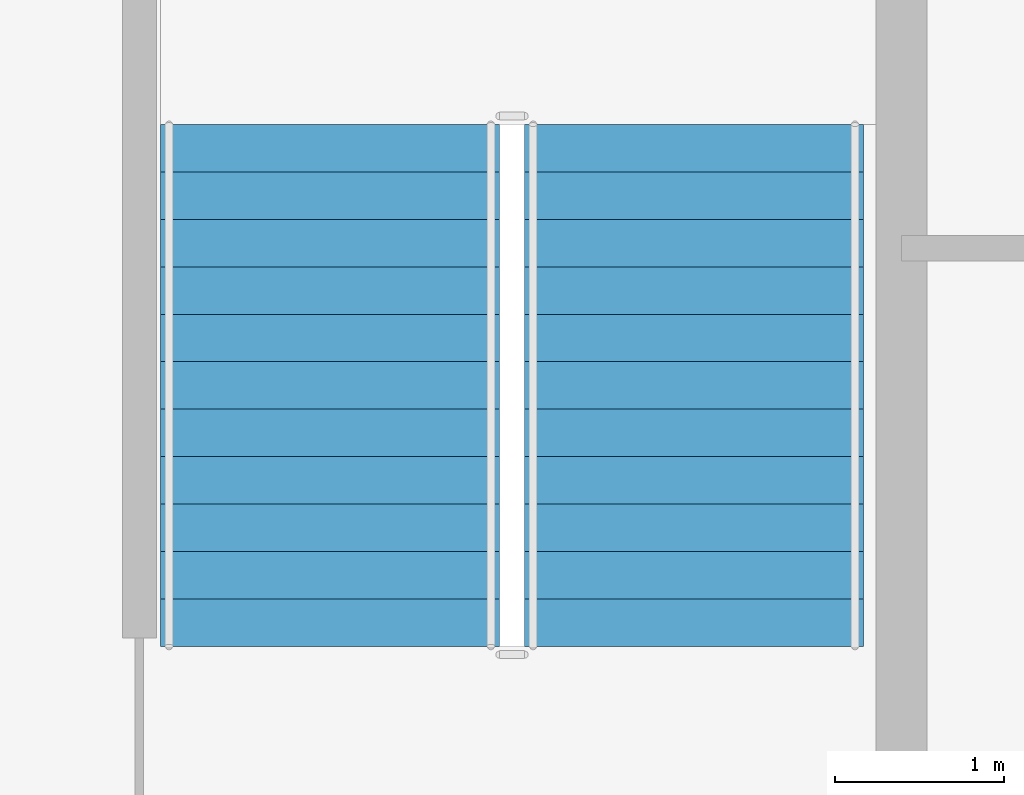
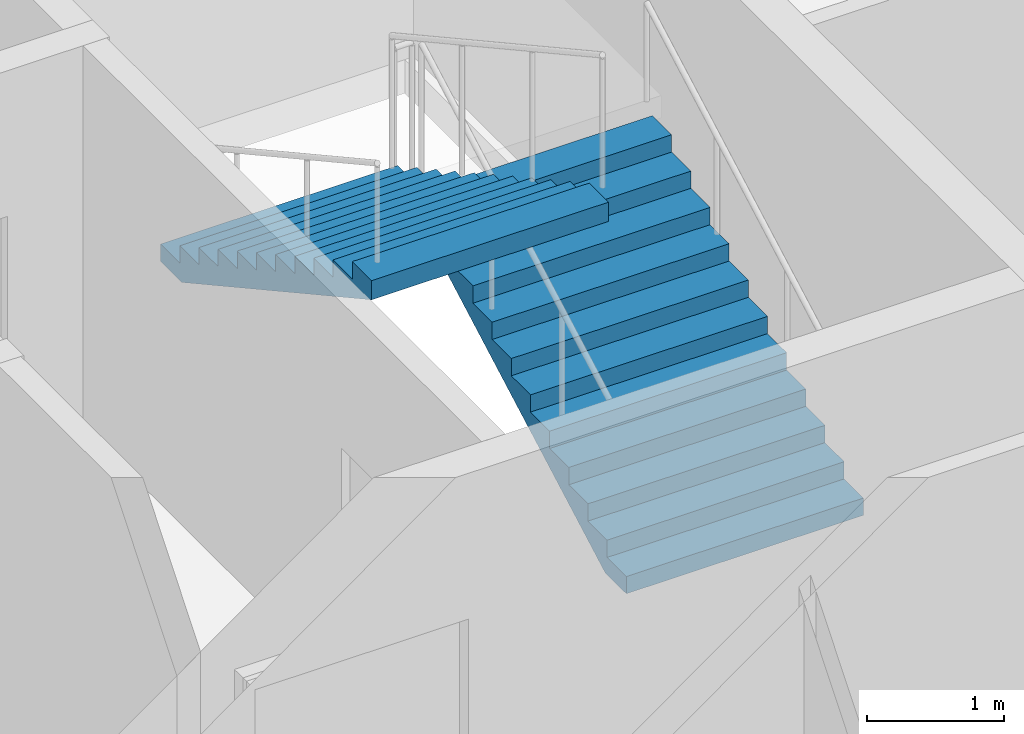
# One storey, part 12 of 15: 2 stair flights, 1 element without a shape of its own.
"""IFC4 building model written with IfcOpenShell, lengths in metres."""

from ifc_helpers import new_model, si_unit, direction, frame, origin, place, context, subcontext, project, spatial, polygons, material, type_object, element, aggregate, save


model = new_model("IFC4")

# Units and contexts
model_context = context("Model", 3, precision=1e-05, world=origin(), true_north=direction((0.0, 1.0)))
body_context = subcontext(model_context, "Body", "Model", "MODEL_VIEW")
ifc_project = project(units=[si_unit("LENGTHUNIT", "METRE"), si_unit("AREAUNIT", "SQUARE_METRE"), si_unit("VOLUMEUNIT", "CUBIC_METRE"), si_unit("PLANEANGLEUNIT", "RADIAN"), si_unit("MASSUNIT", "GRAM", prefix="KILO")], contexts=[model_context])

# Site, building, storey
site_placement = place(None, origin())
site = spatial("IfcSite", under=ifc_project, at=site_placement, CompositionType="ELEMENT")
building_placement = place(site_placement, origin())
building = spatial("IfcBuilding", under=site, at=building_placement, Name="Caravel Reach Hotel and Residences", CompositionType="ELEMENT")
storey_placement = place(building_placement, frame((0.0, 0.0, 172.800048828125)))
storey = spatial("IfcBuildingStorey", under=building, at=storey_placement, Name="L43", CompositionType="ELEMENT", Elevation=172.800048828125)

# Stair, stair flights
ifc_material_1 = material(Name="Concrete C40", Category="concrete")
stair_type = type_object("IfcStairType", Name="Core stair", PredefinedType="HALF_TURN_STAIR", material=ifc_material_1)
stair_placement = place(storey_placement, origin())
stair = element("IfcStair", 1, at=stair_placement, inside=storey, type_object=stair_type, Name="L43 Exit stair B", PredefinedType="HALF_TURN_STAIR")
ifc_material_2 = material(Name="Concrete C40", Category="concrete")
stair_flight_type = type_object("IfcStairFlightType", Name="Core stair flight", PredefinedType="STRAIGHT", material=ifc_material_2)
stair_flight_1_placement = place(storey_placement, frame((43.77490234375, 24.64990234375, 0.0), z_axis=(0.0, 0.0, 1.0), x_axis=(0.0, 1.0, 0.0)))
stair_flight_1 = element("IfcStairFlight", 2, at=stair_flight_1_placement, type_object=stair_flight_type, Name="ST-B flight 1", NumberOfRisers=12, NumberOfTreads=11, PredefinedType="STRAIGHT", RiserHeight=0.154166667, TreadLength=0.28, context=body_context, shape_type="Tessellation", body=[
    polygons([(0.3107950034306102, 1.0, 0.0), (0.3107950034306102, 0.6666666666666667, 0.0), (0.3107950034306102, 0.33333333333333337, 0.0), (0.3107950034306102, 0.0, 0.0), (0.3107950034306102, -0.33333333333333326, 0.0), (0.3107950034306102, -0.6666666666666667, 0.0), (0.3107950034306102, -1.0, 0.0), (3.081, 1.0, 1.524711087717319), (3.081, 0.6666666666666667, 1.524711087717319), (3.081, 0.33333333333333337, 1.524711087717319), (3.081, 0.0, 1.524711087717319), (3.081, -0.33333333333333326, 1.524711087717319), (3.081, -0.6666666666666667, 1.524711087717319), (3.081, -1.0, 1.524711087717319), (3.081, 1.0, 1.695833337), (3.081, 0.6666666666666667, 1.695833337), (3.081, 0.33333333333333337, 1.695833337), (3.081, 0.0, 1.695833337), (3.081, -0.33333333333333326, 1.695833337), (3.081, -0.6666666666666667, 1.695833337), (3.081, -1.0, 1.695833337), (2.8000000000000003, 1.0, 1.695833337), (2.8000000000000003, 0.6666666666666667, 1.695833337), (2.8000000000000003, 0.33333333333333337, 1.695833337), (2.8000000000000003, 0.0, 1.695833337), (2.8000000000000003, -0.33333333333333326, 1.695833337), (2.8000000000000003, -0.6666666666666667, 1.695833337), (2.8000000000000003, -1.0, 1.695833337), (2.8000000000000003, 1.0, 1.5416666700000001), (2.8000000000000003, 0.6666666666666667, 1.5416666700000001), (2.8000000000000003, 0.33333333333333337, 1.5416666700000001), (2.8000000000000003, 0.0, 1.5416666700000001), (2.8000000000000003, -0.33333333333333326, 1.5416666700000001), (2.8000000000000003, -0.6666666666666667, 1.5416666700000001), (2.8000000000000003, -1.0, 1.5416666700000001), (2.5200000000000005, 1.0, 1.5416666700000001), (2.5200000000000005, 0.6666666666666667, 1.5416666700000001), (2.5200000000000005, 0.33333333333333337, 1.5416666700000001), (2.5200000000000005, 0.0, 1.5416666700000001), (2.5200000000000005, -0.33333333333333326, 1.5416666700000001), (2.5200000000000005, -0.6666666666666667, 1.5416666700000001), (2.5200000000000005, -1.0, 1.5416666700000001), (2.5200000000000005, 1.0, 1.387500003), (2.5200000000000005, 0.6666666666666667, 1.387500003), (2.5200000000000005, 0.33333333333333337, 1.387500003), (2.5200000000000005, 0.0, 1.387500003), (2.5200000000000005, -0.33333333333333326, 1.387500003), (2.5200000000000005, -0.6666666666666667, 1.387500003), (2.5200000000000005, -1.0, 1.387500003), (2.24, 1.0, 1.387500003), (2.24, 0.6666666666666667, 1.387500003), (2.24, 0.33333333333333337, 1.387500003), (2.24, 0.0, 1.387500003), (2.24, -0.33333333333333326, 1.387500003), (2.24, -0.6666666666666667, 1.387500003), (2.24, -1.0, 1.387500003), (2.24, 1.0, 1.233333336), (2.24, 0.6666666666666667, 1.233333336), (2.24, 0.33333333333333337, 1.233333336), (2.24, 0.0, 1.233333336), (2.24, -0.33333333333333326, 1.233333336), (2.24, -0.6666666666666667, 1.233333336), (2.24, -1.0, 1.233333336), (1.9600000000000002, 1.0, 1.233333336), (1.9600000000000002, 0.6666666666666667, 1.233333336), (1.9600000000000002, 0.33333333333333337, 1.233333336), (1.9600000000000002, 0.0, 1.233333336), (1.9600000000000002, -0.33333333333333326, 1.233333336), (1.9600000000000002, -0.6666666666666667, 1.233333336), (1.9600000000000002, -1.0, 1.233333336), (1.9600000000000002, 1.0, 1.0791666690000001), (1.9600000000000002, 0.6666666666666667, 1.0791666690000001), (1.9600000000000002, 0.33333333333333337, 1.0791666690000001), (1.9600000000000002, 0.0, 1.0791666690000001), (1.9600000000000002, -0.33333333333333326, 1.0791666690000001), (1.9600000000000002, -0.6666666666666667, 1.0791666690000001), (1.9600000000000002, -1.0, 1.0791666690000001), (1.6800000000000002, 1.0, 1.0791666690000001), (1.6800000000000002, 0.6666666666666667, 1.0791666690000001), (1.6800000000000002, 0.33333333333333337, 1.0791666690000001), (1.6800000000000002, 0.0, 1.0791666690000001), (1.6800000000000002, -0.33333333333333326, 1.0791666690000001), (1.6800000000000002, -0.6666666666666667, 1.0791666690000001), (1.6800000000000002, -1.0, 1.0791666690000001), (1.6800000000000002, 1.0, 0.925000002), (1.6800000000000002, 0.6666666666666667, 0.925000002), (1.6800000000000002, 0.33333333333333337, 0.925000002), (1.6800000000000002, 0.0, 0.925000002), (1.6800000000000002, -0.33333333333333326, 0.925000002), (1.6800000000000002, -0.6666666666666667, 0.925000002), (1.6800000000000002, -1.0, 0.925000002), (1.4000000000000001, 1.0, 0.925000002), (1.4000000000000001, 0.6666666666666667, 0.925000002), (1.4000000000000001, 0.33333333333333337, 0.925000002), (1.4000000000000001, 0.0, 0.925000002), (1.4000000000000001, -0.33333333333333326, 0.925000002), (1.4000000000000001, -0.6666666666666667, 0.925000002), (1.4000000000000001, -1.0, 0.925000002), (1.4000000000000001, 1.0, 0.7708333350000001), (1.4000000000000001, 0.6666666666666667, 0.7708333350000001), (1.4000000000000001, 0.33333333333333337, 0.7708333350000001), (1.4000000000000001, 0.0, 0.7708333350000001), (1.4000000000000001, -0.33333333333333326, 0.7708333350000001), (1.4000000000000001, -0.6666666666666667, 0.7708333350000001), (1.4000000000000001, -1.0, 0.7708333350000001), (1.12, 1.0, 0.7708333350000001), (1.12, 0.6666666666666667, 0.7708333350000001), (1.12, 0.33333333333333337, 0.7708333350000001), (1.12, 0.0, 0.7708333350000001), (1.12, -0.33333333333333326, 0.7708333350000001), (1.12, -0.6666666666666667, 0.7708333350000001), (1.12, -1.0, 0.7708333350000001), (1.12, 1.0, 0.616666668), (1.12, 0.6666666666666667, 0.616666668), (1.12, 0.33333333333333337, 0.616666668), (1.12, 0.0, 0.616666668), (1.12, -0.33333333333333326, 0.616666668), (1.12, -0.6666666666666667, 0.616666668), (1.12, -1.0, 0.616666668), (0.8400000000000001, 1.0, 0.616666668), (0.8400000000000001, 0.6666666666666667, 0.616666668), (0.8400000000000001, 0.33333333333333337, 0.616666668), (0.8400000000000001, 0.0, 0.616666668), (0.8400000000000001, -0.33333333333333326, 0.616666668), (0.8400000000000001, -0.6666666666666667, 0.616666668), (0.8400000000000001, -1.0, 0.616666668), (0.8400000000000001, 1.0, 0.462500001), (0.8400000000000001, 0.6666666666666667, 0.462500001), (0.8400000000000001, 0.33333333333333337, 0.462500001), (0.8400000000000001, 0.0, 0.462500001), (0.8400000000000001, -0.33333333333333326, 0.462500001), (0.8400000000000001, -0.6666666666666667, 0.462500001), (0.8400000000000001, -1.0, 0.462500001), (0.56, 1.0, 0.462500001), (0.56, 0.6666666666666667, 0.462500001), (0.56, 0.33333333333333337, 0.462500001), (0.56, 0.0, 0.462500001), (0.56, -0.33333333333333326, 0.462500001), (0.56, -0.6666666666666667, 0.462500001), (0.56, -1.0, 0.462500001), (0.56, 1.0, 0.308333334), (0.56, 0.6666666666666667, 0.308333334), (0.56, 0.33333333333333337, 0.308333334), (0.56, 0.0, 0.308333334), (0.56, -0.33333333333333326, 0.308333334), (0.56, -0.6666666666666667, 0.308333334), (0.56, -1.0, 0.308333334), (0.28, 1.0, 0.308333334), (0.28, 0.6666666666666667, 0.308333334), (0.28, 0.33333333333333337, 0.308333334), (0.28, 0.0, 0.308333334), (0.28, -0.33333333333333326, 0.308333334), (0.28, -0.6666666666666667, 0.308333334), (0.28, -1.0, 0.308333334), (0.28, 1.0, 0.154166667), (0.28, 0.6666666666666667, 0.154166667), (0.28, 0.33333333333333337, 0.154166667), (0.28, 0.0, 0.154166667), (0.28, -0.33333333333333326, 0.154166667), (0.28, -0.6666666666666667, 0.154166667), (0.28, -1.0, 0.154166667), (-0.001, 1.0, 0.154166667), (-0.001, 0.6666666666666667, 0.154166667), (-0.001, 0.33333333333333337, 0.154166667), (-0.001, 0.0, 0.154166667), (-0.001, -0.33333333333333326, 0.154166667), (-0.001, -0.6666666666666667, 0.154166667), (-0.001, -1.0, 0.154166667), (-0.001, 1.0, 0.0), (-0.001, 0.6666666666666667, 0.0), (-0.001, 0.33333333333333337, 0.0), (-0.001, 0.0, 0.0), (-0.001, -0.33333333333333326, 0.0), (-0.001, -0.6666666666666667, 0.0), (-0.001, -1.0, 0.0)], [[[169, 162, 155, 148, 141, 134, 127, 120, 113, 106, 99, 92, 85, 78, 71, 64, 57, 50, 43, 36, 29, 22, 15, 8, 1]], [[7, 14, 21, 28, 35, 42, 49, 56, 63, 70, 77, 84, 91, 98, 105, 112, 119, 126, 133, 140, 147, 154, 161, 168, 175]], [[1, 8, 9, 2]], [[2, 9, 10, 3]], [[3, 10, 11, 4]], [[4, 11, 12, 5]], [[5, 12, 13, 6]], [[6, 13, 14, 7]], [[8, 15, 16, 9]], [[9, 16, 17, 10]], [[10, 17, 18, 11]], [[11, 18, 19, 12]], [[12, 19, 20, 13]], [[13, 20, 21, 14]], [[15, 22, 23, 16]], [[16, 23, 24, 17]], [[17, 24, 25, 18]], [[18, 25, 26, 19]], [[19, 26, 27, 20]], [[20, 27, 28, 21]], [[22, 29, 30, 23]], [[23, 30, 31, 24]], [[24, 31, 32, 25]], [[25, 32, 33, 26]], [[26, 33, 34, 27]], [[27, 34, 35, 28]], [[29, 36, 37, 30]], [[30, 37, 38, 31]], [[31, 38, 39, 32]], [[32, 39, 40, 33]], [[33, 40, 41, 34]], [[34, 41, 42, 35]], [[36, 43, 44, 37]], [[37, 44, 45, 38]], [[38, 45, 46, 39]], [[39, 46, 47, 40]], [[40, 47, 48, 41]], [[41, 48, 49, 42]], [[43, 50, 51, 44]], [[44, 51, 52, 45]], [[45, 52, 53, 46]], [[46, 53, 54, 47]], [[47, 54, 55, 48]], [[48, 55, 56, 49]], [[50, 57, 58, 51]], [[51, 58, 59, 52]], [[52, 59, 60, 53]], [[53, 60, 61, 54]], [[54, 61, 62, 55]], [[55, 62, 63, 56]], [[57, 64, 65, 58]], [[58, 65, 66, 59]], [[59, 66, 67, 60]], [[60, 67, 68, 61]], [[61, 68, 69, 62]], [[62, 69, 70, 63]], [[64, 71, 72, 65]], [[65, 72, 73, 66]], [[66, 73, 74, 67]], [[67, 74, 75, 68]], [[68, 75, 76, 69]], [[69, 76, 77, 70]], [[71, 78, 79, 72]], [[72, 79, 80, 73]], [[73, 80, 81, 74]], [[74, 81, 82, 75]], [[75, 82, 83, 76]], [[76, 83, 84, 77]], [[78, 85, 86, 79]], [[79, 86, 87, 80]], [[80, 87, 88, 81]], [[81, 88, 89, 82]], [[82, 89, 90, 83]], [[83, 90, 91, 84]], [[85, 92, 93, 86]], [[86, 93, 94, 87]], [[87, 94, 95, 88]], [[88, 95, 96, 89]], [[89, 96, 97, 90]], [[90, 97, 98, 91]], [[92, 99, 100, 93]], [[93, 100, 101, 94]], [[94, 101, 102, 95]], [[95, 102, 103, 96]], [[96, 103, 104, 97]], [[97, 104, 105, 98]], [[99, 106, 107, 100]], [[100, 107, 108, 101]], [[101, 108, 109, 102]], [[102, 109, 110, 103]], [[103, 110, 111, 104]], [[104, 111, 112, 105]], [[106, 113, 114, 107]], [[107, 114, 115, 108]], [[108, 115, 116, 109]], [[109, 116, 117, 110]], [[110, 117, 118, 111]], [[111, 118, 119, 112]], [[113, 120, 121, 114]], [[114, 121, 122, 115]], [[115, 122, 123, 116]], [[116, 123, 124, 117]], [[117, 124, 125, 118]], [[118, 125, 126, 119]], [[120, 127, 128, 121]], [[121, 128, 129, 122]], [[122, 129, 130, 123]], [[123, 130, 131, 124]], [[124, 131, 132, 125]], [[125, 132, 133, 126]], [[127, 134, 135, 128]], [[128, 135, 136, 129]], [[129, 136, 137, 130]], [[130, 137, 138, 131]], [[131, 138, 139, 132]], [[132, 139, 140, 133]], [[134, 141, 142, 135]], [[135, 142, 143, 136]], [[136, 143, 144, 137]], [[137, 144, 145, 138]], [[138, 145, 146, 139]], [[139, 146, 147, 140]], [[141, 148, 149, 142]], [[142, 149, 150, 143]], [[143, 150, 151, 144]], [[144, 151, 152, 145]], [[145, 152, 153, 146]], [[146, 153, 154, 147]], [[148, 155, 156, 149]], [[149, 156, 157, 150]], [[150, 157, 158, 151]], [[151, 158, 159, 152]], [[152, 159, 160, 153]], [[153, 160, 161, 154]], [[155, 162, 163, 156]], [[156, 163, 164, 157]], [[157, 164, 165, 158]], [[158, 165, 166, 159]], [[159, 166, 167, 160]], [[160, 167, 168, 161]], [[162, 169, 170, 163]], [[163, 170, 171, 164]], [[164, 171, 172, 165]], [[165, 172, 173, 166]], [[166, 173, 174, 167]], [[167, 174, 175, 168]], [[169, 1, 2, 170]], [[170, 2, 3, 171]], [[171, 3, 4, 172]], [[172, 4, 5, 173]], [[173, 5, 6, 174]], [[174, 6, 7, 175]]], closed=True),
])
stair_flight_2_placement = place(storey_placement, frame((41.625, 27.72998046875, 1.849853515625), z_axis=(0.0, 0.0, 1.0), x_axis=(0.0, -1.0, 0.0)))
stair_flight_2 = element("IfcStairFlight", 3, at=stair_flight_2_placement, type_object=stair_flight_type, Name="ST-B flight 2", NumberOfRisers=12, NumberOfTreads=11, PredefinedType="STRAIGHT", RiserHeight=0.154166667, TreadLength=0.28, context=body_context, shape_type="Tessellation", body=[
    polygons([(0.3107950034306102, 1.0, 0.0), (0.3107950034306102, 0.6666666666666667, 0.0), (0.3107950034306102, 0.33333333333333337, 0.0), (0.3107950034306102, 0.0, 0.0), (0.3107950034306102, -0.33333333333333326, 0.0), (0.3107950034306102, -0.6666666666666667, 0.0), (0.3107950034306102, -1.0, 0.0), (3.081, 1.0, 1.524711087717319), (3.081, 0.6666666666666667, 1.524711087717319), (3.081, 0.33333333333333337, 1.524711087717319), (3.081, 0.0, 1.524711087717319), (3.081, -0.33333333333333326, 1.524711087717319), (3.081, -0.6666666666666667, 1.524711087717319), (3.081, -1.0, 1.524711087717319), (3.081, 1.0, 1.695833337), (3.081, 0.6666666666666667, 1.695833337), (3.081, 0.33333333333333337, 1.695833337), (3.081, 0.0, 1.695833337), (3.081, -0.33333333333333326, 1.695833337), (3.081, -0.6666666666666667, 1.695833337), (3.081, -1.0, 1.695833337), (2.8000000000000003, 1.0, 1.695833337), (2.8000000000000003, 0.6666666666666667, 1.695833337), (2.8000000000000003, 0.33333333333333337, 1.695833337), (2.8000000000000003, 0.0, 1.695833337), (2.8000000000000003, -0.33333333333333326, 1.695833337), (2.8000000000000003, -0.6666666666666667, 1.695833337), (2.8000000000000003, -1.0, 1.695833337), (2.8000000000000003, 1.0, 1.5416666700000001), (2.8000000000000003, 0.6666666666666667, 1.5416666700000001), (2.8000000000000003, 0.33333333333333337, 1.5416666700000001), (2.8000000000000003, 0.0, 1.5416666700000001), (2.8000000000000003, -0.33333333333333326, 1.5416666700000001), (2.8000000000000003, -0.6666666666666667, 1.5416666700000001), (2.8000000000000003, -1.0, 1.5416666700000001), (2.5200000000000005, 1.0, 1.5416666700000001), (2.5200000000000005, 0.6666666666666667, 1.5416666700000001), (2.5200000000000005, 0.33333333333333337, 1.5416666700000001), (2.5200000000000005, 0.0, 1.5416666700000001), (2.5200000000000005, -0.33333333333333326, 1.5416666700000001), (2.5200000000000005, -0.6666666666666667, 1.5416666700000001), (2.5200000000000005, -1.0, 1.5416666700000001), (2.5200000000000005, 1.0, 1.387500003), (2.5200000000000005, 0.6666666666666667, 1.387500003), (2.5200000000000005, 0.33333333333333337, 1.387500003), (2.5200000000000005, 0.0, 1.387500003), (2.5200000000000005, -0.33333333333333326, 1.387500003), (2.5200000000000005, -0.6666666666666667, 1.387500003), (2.5200000000000005, -1.0, 1.387500003), (2.24, 1.0, 1.387500003), (2.24, 0.6666666666666667, 1.387500003), (2.24, 0.33333333333333337, 1.387500003), (2.24, 0.0, 1.387500003), (2.24, -0.33333333333333326, 1.387500003), (2.24, -0.6666666666666667, 1.387500003), (2.24, -1.0, 1.387500003), (2.24, 1.0, 1.233333336), (2.24, 0.6666666666666667, 1.233333336), (2.24, 0.33333333333333337, 1.233333336), (2.24, 0.0, 1.233333336), (2.24, -0.33333333333333326, 1.233333336), (2.24, -0.6666666666666667, 1.233333336), (2.24, -1.0, 1.233333336), (1.9600000000000002, 1.0, 1.233333336), (1.9600000000000002, 0.6666666666666667, 1.233333336), (1.9600000000000002, 0.33333333333333337, 1.233333336), (1.9600000000000002, 0.0, 1.233333336), (1.9600000000000002, -0.33333333333333326, 1.233333336), (1.9600000000000002, -0.6666666666666667, 1.233333336), (1.9600000000000002, -1.0, 1.233333336), (1.9600000000000002, 1.0, 1.0791666690000001), (1.9600000000000002, 0.6666666666666667, 1.0791666690000001), (1.9600000000000002, 0.33333333333333337, 1.0791666690000001), (1.9600000000000002, 0.0, 1.0791666690000001), (1.9600000000000002, -0.33333333333333326, 1.0791666690000001), (1.9600000000000002, -0.6666666666666667, 1.0791666690000001), (1.9600000000000002, -1.0, 1.0791666690000001), (1.6800000000000002, 1.0, 1.0791666690000001), (1.6800000000000002, 0.6666666666666667, 1.0791666690000001), (1.6800000000000002, 0.33333333333333337, 1.0791666690000001), (1.6800000000000002, 0.0, 1.0791666690000001), (1.6800000000000002, -0.33333333333333326, 1.0791666690000001), (1.6800000000000002, -0.6666666666666667, 1.0791666690000001), (1.6800000000000002, -1.0, 1.0791666690000001), (1.6800000000000002, 1.0, 0.925000002), (1.6800000000000002, 0.6666666666666667, 0.925000002), (1.6800000000000002, 0.33333333333333337, 0.925000002), (1.6800000000000002, 0.0, 0.925000002), (1.6800000000000002, -0.33333333333333326, 0.925000002), (1.6800000000000002, -0.6666666666666667, 0.925000002), (1.6800000000000002, -1.0, 0.925000002), (1.4000000000000001, 1.0, 0.925000002), (1.4000000000000001, 0.6666666666666667, 0.925000002), (1.4000000000000001, 0.33333333333333337, 0.925000002), (1.4000000000000001, 0.0, 0.925000002), (1.4000000000000001, -0.33333333333333326, 0.925000002), (1.4000000000000001, -0.6666666666666667, 0.925000002), (1.4000000000000001, -1.0, 0.925000002), (1.4000000000000001, 1.0, 0.7708333350000001), (1.4000000000000001, 0.6666666666666667, 0.7708333350000001), (1.4000000000000001, 0.33333333333333337, 0.7708333350000001), (1.4000000000000001, 0.0, 0.7708333350000001), (1.4000000000000001, -0.33333333333333326, 0.7708333350000001), (1.4000000000000001, -0.6666666666666667, 0.7708333350000001), (1.4000000000000001, -1.0, 0.7708333350000001), (1.12, 1.0, 0.7708333350000001), (1.12, 0.6666666666666667, 0.7708333350000001), (1.12, 0.33333333333333337, 0.7708333350000001), (1.12, 0.0, 0.7708333350000001), (1.12, -0.33333333333333326, 0.7708333350000001), (1.12, -0.6666666666666667, 0.7708333350000001), (1.12, -1.0, 0.7708333350000001), (1.12, 1.0, 0.616666668), (1.12, 0.6666666666666667, 0.616666668), (1.12, 0.33333333333333337, 0.616666668), (1.12, 0.0, 0.616666668), (1.12, -0.33333333333333326, 0.616666668), (1.12, -0.6666666666666667, 0.616666668), (1.12, -1.0, 0.616666668), (0.8400000000000001, 1.0, 0.616666668), (0.8400000000000001, 0.6666666666666667, 0.616666668), (0.8400000000000001, 0.33333333333333337, 0.616666668), (0.8400000000000001, 0.0, 0.616666668), (0.8400000000000001, -0.33333333333333326, 0.616666668), (0.8400000000000001, -0.6666666666666667, 0.616666668), (0.8400000000000001, -1.0, 0.616666668), (0.8400000000000001, 1.0, 0.462500001), (0.8400000000000001, 0.6666666666666667, 0.462500001), (0.8400000000000001, 0.33333333333333337, 0.462500001), (0.8400000000000001, 0.0, 0.462500001), (0.8400000000000001, -0.33333333333333326, 0.462500001), (0.8400000000000001, -0.6666666666666667, 0.462500001), (0.8400000000000001, -1.0, 0.462500001), (0.56, 1.0, 0.462500001), (0.56, 0.6666666666666667, 0.462500001), (0.56, 0.33333333333333337, 0.462500001), (0.56, 0.0, 0.462500001), (0.56, -0.33333333333333326, 0.462500001), (0.56, -0.6666666666666667, 0.462500001), (0.56, -1.0, 0.462500001), (0.56, 1.0, 0.308333334), (0.56, 0.6666666666666667, 0.308333334), (0.56, 0.33333333333333337, 0.308333334), (0.56, 0.0, 0.308333334), (0.56, -0.33333333333333326, 0.308333334), (0.56, -0.6666666666666667, 0.308333334), (0.56, -1.0, 0.308333334), (0.28, 1.0, 0.308333334), (0.28, 0.6666666666666667, 0.308333334), (0.28, 0.33333333333333337, 0.308333334), (0.28, 0.0, 0.308333334), (0.28, -0.33333333333333326, 0.308333334), (0.28, -0.6666666666666667, 0.308333334), (0.28, -1.0, 0.308333334), (0.28, 1.0, 0.154166667), (0.28, 0.6666666666666667, 0.154166667), (0.28, 0.33333333333333337, 0.154166667), (0.28, 0.0, 0.154166667), (0.28, -0.33333333333333326, 0.154166667), (0.28, -0.6666666666666667, 0.154166667), (0.28, -1.0, 0.154166667), (-0.001, 1.0, 0.154166667), (-0.001, 0.6666666666666667, 0.154166667), (-0.001, 0.33333333333333337, 0.154166667), (-0.001, 0.0, 0.154166667), (-0.001, -0.33333333333333326, 0.154166667), (-0.001, -0.6666666666666667, 0.154166667), (-0.001, -1.0, 0.154166667), (-0.001, 1.0, 0.0), (-0.001, 0.6666666666666667, 0.0), (-0.001, 0.33333333333333337, 0.0), (-0.001, 0.0, 0.0), (-0.001, -0.33333333333333326, 0.0), (-0.001, -0.6666666666666667, 0.0), (-0.001, -1.0, 0.0)], [[[169, 162, 155, 148, 141, 134, 127, 120, 113, 106, 99, 92, 85, 78, 71, 64, 57, 50, 43, 36, 29, 22, 15, 8, 1]], [[7, 14, 21, 28, 35, 42, 49, 56, 63, 70, 77, 84, 91, 98, 105, 112, 119, 126, 133, 140, 147, 154, 161, 168, 175]], [[1, 8, 9, 2]], [[2, 9, 10, 3]], [[3, 10, 11, 4]], [[4, 11, 12, 5]], [[5, 12, 13, 6]], [[6, 13, 14, 7]], [[8, 15, 16, 9]], [[9, 16, 17, 10]], [[10, 17, 18, 11]], [[11, 18, 19, 12]], [[12, 19, 20, 13]], [[13, 20, 21, 14]], [[15, 22, 23, 16]], [[16, 23, 24, 17]], [[17, 24, 25, 18]], [[18, 25, 26, 19]], [[19, 26, 27, 20]], [[20, 27, 28, 21]], [[22, 29, 30, 23]], [[23, 30, 31, 24]], [[24, 31, 32, 25]], [[25, 32, 33, 26]], [[26, 33, 34, 27]], [[27, 34, 35, 28]], [[29, 36, 37, 30]], [[30, 37, 38, 31]], [[31, 38, 39, 32]], [[32, 39, 40, 33]], [[33, 40, 41, 34]], [[34, 41, 42, 35]], [[36, 43, 44, 37]], [[37, 44, 45, 38]], [[38, 45, 46, 39]], [[39, 46, 47, 40]], [[40, 47, 48, 41]], [[41, 48, 49, 42]], [[43, 50, 51, 44]], [[44, 51, 52, 45]], [[45, 52, 53, 46]], [[46, 53, 54, 47]], [[47, 54, 55, 48]], [[48, 55, 56, 49]], [[50, 57, 58, 51]], [[51, 58, 59, 52]], [[52, 59, 60, 53]], [[53, 60, 61, 54]], [[54, 61, 62, 55]], [[55, 62, 63, 56]], [[57, 64, 65, 58]], [[58, 65, 66, 59]], [[59, 66, 67, 60]], [[60, 67, 68, 61]], [[61, 68, 69, 62]], [[62, 69, 70, 63]], [[64, 71, 72, 65]], [[65, 72, 73, 66]], [[66, 73, 74, 67]], [[67, 74, 75, 68]], [[68, 75, 76, 69]], [[69, 76, 77, 70]], [[71, 78, 79, 72]], [[72, 79, 80, 73]], [[73, 80, 81, 74]], [[74, 81, 82, 75]], [[75, 82, 83, 76]], [[76, 83, 84, 77]], [[78, 85, 86, 79]], [[79, 86, 87, 80]], [[80, 87, 88, 81]], [[81, 88, 89, 82]], [[82, 89, 90, 83]], [[83, 90, 91, 84]], [[85, 92, 93, 86]], [[86, 93, 94, 87]], [[87, 94, 95, 88]], [[88, 95, 96, 89]], [[89, 96, 97, 90]], [[90, 97, 98, 91]], [[92, 99, 100, 93]], [[93, 100, 101, 94]], [[94, 101, 102, 95]], [[95, 102, 103, 96]], [[96, 103, 104, 97]], [[97, 104, 105, 98]], [[99, 106, 107, 100]], [[100, 107, 108, 101]], [[101, 108, 109, 102]], [[102, 109, 110, 103]], [[103, 110, 111, 104]], [[104, 111, 112, 105]], [[106, 113, 114, 107]], [[107, 114, 115, 108]], [[108, 115, 116, 109]], [[109, 116, 117, 110]], [[110, 117, 118, 111]], [[111, 118, 119, 112]], [[113, 120, 121, 114]], [[114, 121, 122, 115]], [[115, 122, 123, 116]], [[116, 123, 124, 117]], [[117, 124, 125, 118]], [[118, 125, 126, 119]], [[120, 127, 128, 121]], [[121, 128, 129, 122]], [[122, 129, 130, 123]], [[123, 130, 131, 124]], [[124, 131, 132, 125]], [[125, 132, 133, 126]], [[127, 134, 135, 128]], [[128, 135, 136, 129]], [[129, 136, 137, 130]], [[130, 137, 138, 131]], [[131, 138, 139, 132]], [[132, 139, 140, 133]], [[134, 141, 142, 135]], [[135, 142, 143, 136]], [[136, 143, 144, 137]], [[137, 144, 145, 138]], [[138, 145, 146, 139]], [[139, 146, 147, 140]], [[141, 148, 149, 142]], [[142, 149, 150, 143]], [[143, 150, 151, 144]], [[144, 151, 152, 145]], [[145, 152, 153, 146]], [[146, 153, 154, 147]], [[148, 155, 156, 149]], [[149, 156, 157, 150]], [[150, 157, 158, 151]], [[151, 158, 159, 152]], [[152, 159, 160, 153]], [[153, 160, 161, 154]], [[155, 162, 163, 156]], [[156, 163, 164, 157]], [[157, 164, 165, 158]], [[158, 165, 166, 159]], [[159, 166, 167, 160]], [[160, 167, 168, 161]], [[162, 169, 170, 163]], [[163, 170, 171, 164]], [[164, 171, 172, 165]], [[165, 172, 173, 166]], [[166, 173, 174, 167]], [[167, 174, 175, 168]], [[169, 1, 2, 170]], [[170, 2, 3, 171]], [[171, 3, 4, 172]], [[172, 4, 5, 173]], [[173, 5, 6, 174]], [[174, 6, 7, 175]]], closed=True),
])
aggregate(stair, [stair_flight_1, stair_flight_2])

save(model, "model.ifc")
